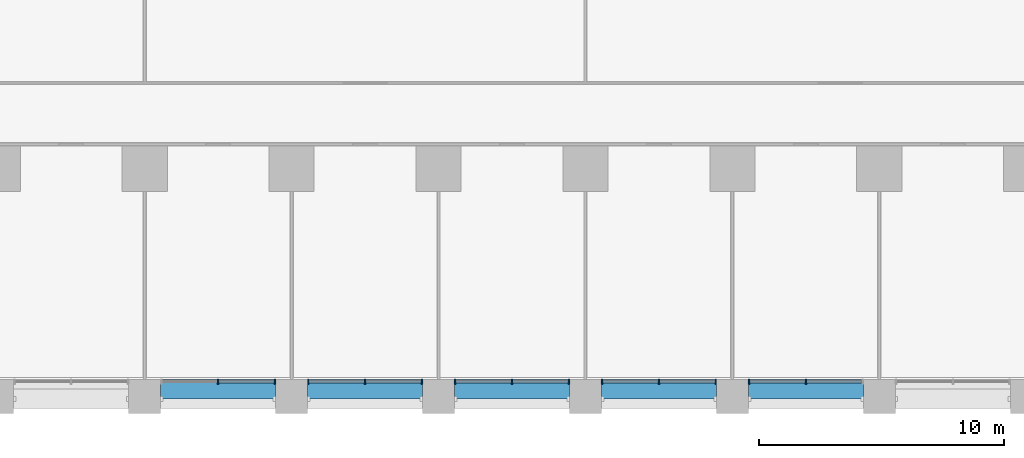
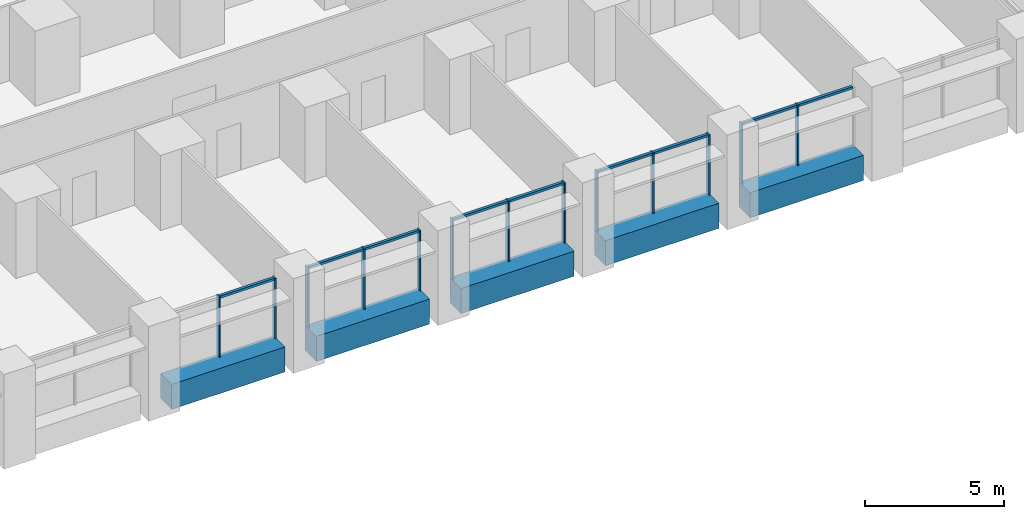
# One storey, part 3 of 18: 22 members, 5 beams, 5 elements without a shape of their own.
"""IFC4 building model written with IfcOpenShell, lengths in metres."""

from ifc_helpers import new_model, si_unit, direction, frame, origin, origin_2d, place, context, subcontext, project, spatial, rectangle, extrude, material, material_profile, profile_set, type_object, element, aggregate, save


model = new_model("IFC4")

# Units and contexts
model_context = context("Model", 3, precision=1e-05, world=origin(), true_north=direction((0.0, 1.0)))
body_context = subcontext(model_context, "Body", "Model", "MODEL_VIEW")
ifc_project = project(units=[si_unit("LENGTHUNIT", "METRE"), si_unit("AREAUNIT", "SQUARE_METRE"), si_unit("VOLUMEUNIT", "CUBIC_METRE"), si_unit("PLANEANGLEUNIT", "RADIAN"), si_unit("MASSUNIT", "GRAM", prefix="KILO")], contexts=[model_context])

# Site, building, storey
site_placement = place(None, origin())
site = spatial("IfcSite", under=ifc_project, at=site_placement, CompositionType="ELEMENT")
building_placement = place(site_placement, origin())
building = spatial("IfcBuilding", under=site, at=building_placement, Name="Calvaro Tower", CompositionType="ELEMENT")
storey_placement = place(building_placement, frame((0.0, 0.0, 22.5)))
storey = spatial("IfcBuildingStorey", under=building, at=storey_placement, Name="L04", CompositionType="ELEMENT", Elevation=22.5)

# Curtain wall, members
ifc_material_1 = material(Name="Anodised aluminium", Category="aluminium")
curtain_wall_type = type_object("IfcCurtainWallType", Name="Office curtain wall, lower zone", PredefinedType="NOTDEFINED", material=ifc_material_1)
curtain_wall_1_placement = place(storey_placement, origin())
curtain_wall_1 = element("IfcCurtainWall", 1, at=curtain_wall_1_placement, inside=storey, type_object=curtain_wall_type, Name="CW1 south curtain wall", PredefinedType="NOTDEFINED")
ifc_material_2 = material(Name="Anodised aluminium", Category="aluminium")
ifc_material_profile_1 = material_profile(ifc_material_2, rectangle(XDim=0.199951171875, YDim=0.06005859375, at=origin_2d()), Name="Mullion S1 60 x 200")
ifc_profile_set_1 = profile_set([ifc_material_profile_1], Name="Anodised aluminium")
member_type_1 = type_object("IfcMemberType", Name="Mullion S1 60 x 200", PredefinedType="MULLION", material=ifc_profile_set_1)
member_1_placement = place(storey_placement, frame((39.0, 1.300048828125, 0.0), z_axis=(0.0, 0.0, 1.0), x_axis=(0.0, 1.0, 0.0)))
member_1 = element("IfcMember", 2, at=member_1_placement, type_object=member_type_1, Name="CW1 mullion 2", PredefinedType="MULLION", context=body_context, shape_type="SweptSolid", body=[
    extrude(rectangle(XDim=0.199951171875, YDim=0.06005859375, at=origin_2d()), origin(), (0.0, 0.0, 1.0), 2.64990234375),
])
member_2_placement = place(storey_placement, frame((41.320068359375, 1.300048828125, 0.0), z_axis=(0.0, 0.0, 1.0), x_axis=(0.0, 1.0, 0.0)))
member_2 = element("IfcMember", 3, at=member_2_placement, type_object=member_type_1, Name="CW1 mullion 3", PredefinedType="MULLION", context=body_context, shape_type="SweptSolid", body=[
    extrude(rectangle(XDim=0.199951171875, YDim=0.06005859375, at=origin_2d()), origin(), (0.0, 0.0, 1.0), 2.64990234375),
])

curtain_wall_2_placement = place(storey_placement, origin())
curtain_wall_2 = element("IfcCurtainWall", 4, at=curtain_wall_2_placement, inside=storey, type_object=curtain_wall_type, Name="CW1 south curtain wall", PredefinedType="NOTDEFINED")
member_3_placement = place(storey_placement, frame((42.679931640625, 1.300048828125, 0.0), z_axis=(0.0, 0.0, 1.0), x_axis=(0.0, 1.0, 0.0)))
member_3 = element("IfcMember", 5, at=member_3_placement, type_object=member_type_1, Name="CW1 mullion 1", PredefinedType="MULLION", context=body_context, shape_type="SweptSolid", body=[
    extrude(rectangle(XDim=0.199951171875, YDim=0.06005859375, at=origin_2d()), origin(), (0.0, 0.0, 1.0), 2.64990234375),
])
member_4_placement = place(storey_placement, frame((45.0, 1.300048828125, 0.0), z_axis=(0.0, 0.0, 1.0), x_axis=(0.0, 1.0, 0.0)))
member_4 = element("IfcMember", 6, at=member_4_placement, type_object=member_type_1, Name="CW1 mullion 2", PredefinedType="MULLION", context=body_context, shape_type="SweptSolid", body=[
    extrude(rectangle(XDim=0.199951171875, YDim=0.06005859375, at=origin_2d()), origin(), (0.0, 0.0, 1.0), 2.64990234375),
])
member_5_placement = place(storey_placement, frame((47.320068359375, 1.300048828125, 0.0), z_axis=(0.0, 0.0, 1.0), x_axis=(0.0, 1.0, 0.0)))
member_5 = element("IfcMember", 7, at=member_5_placement, type_object=member_type_1, Name="CW1 mullion 3", PredefinedType="MULLION", context=body_context, shape_type="SweptSolid", body=[
    extrude(rectangle(XDim=0.199951171875, YDim=0.06005859375, at=origin_2d()), origin(), (0.0, 0.0, 1.0), 2.64990234375),
])

curtain_wall_3_placement = place(storey_placement, origin())
curtain_wall_3 = element("IfcCurtainWall", 8, at=curtain_wall_3_placement, inside=storey, type_object=curtain_wall_type, Name="CW1 south curtain wall", PredefinedType="NOTDEFINED")
member_6_placement = place(storey_placement, frame((48.679931640625, 1.300048828125, 0.0), z_axis=(0.0, 0.0, 1.0), x_axis=(0.0, 1.0, 0.0)))
member_6 = element("IfcMember", 9, at=member_6_placement, type_object=member_type_1, Name="CW1 mullion 1", PredefinedType="MULLION", context=body_context, shape_type="SweptSolid", body=[
    extrude(rectangle(XDim=0.199951171875, YDim=0.06005859375, at=origin_2d()), origin(), (0.0, 0.0, 1.0), 2.64990234375),
])
member_7_placement = place(storey_placement, frame((51.0, 1.300048828125, 0.0), z_axis=(0.0, 0.0, 1.0), x_axis=(0.0, 1.0, 0.0)))
member_7 = element("IfcMember", 10, at=member_7_placement, type_object=member_type_1, Name="CW1 mullion 2", PredefinedType="MULLION", context=body_context, shape_type="SweptSolid", body=[
    extrude(rectangle(XDim=0.199951171875, YDim=0.06005859375, at=origin_2d()), origin(), (0.0, 0.0, 1.0), 2.64990234375),
])
member_8_placement = place(storey_placement, frame((53.320068359375, 1.300048828125, 0.0), z_axis=(0.0, 0.0, 1.0), x_axis=(0.0, 1.0, 0.0)))
member_8 = element("IfcMember", 11, at=member_8_placement, type_object=member_type_1, Name="CW1 mullion 3", PredefinedType="MULLION", context=body_context, shape_type="SweptSolid", body=[
    extrude(rectangle(XDim=0.199951171875, YDim=0.06005859375, at=origin_2d()), origin(), (0.0, 0.0, 1.0), 2.64990234375),
])

curtain_wall_4_placement = place(storey_placement, origin())
curtain_wall_4 = element("IfcCurtainWall", 12, at=curtain_wall_4_placement, inside=storey, type_object=curtain_wall_type, Name="CW1 south curtain wall", PredefinedType="NOTDEFINED")
member_9_placement = place(storey_placement, frame((54.679931640625, 1.300048828125, 0.0), z_axis=(0.0, 0.0, 1.0), x_axis=(0.0, 1.0, 0.0)))
member_9 = element("IfcMember", 13, at=member_9_placement, type_object=member_type_1, Name="CW1 mullion 1", PredefinedType="MULLION", context=body_context, shape_type="SweptSolid", body=[
    extrude(rectangle(XDim=0.199951171875, YDim=0.06005859375, at=origin_2d()), origin(), (0.0, 0.0, 1.0), 2.64990234375),
])
member_10_placement = place(storey_placement, frame((57.0, 1.300048828125, 0.0), z_axis=(0.0, 0.0, 1.0), x_axis=(0.0, 1.0, 0.0)))
member_10 = element("IfcMember", 14, at=member_10_placement, type_object=member_type_1, Name="CW1 mullion 2", PredefinedType="MULLION", context=body_context, shape_type="SweptSolid", body=[
    extrude(rectangle(XDim=0.199951171875, YDim=0.06005859375, at=origin_2d()), origin(), (0.0, 0.0, 1.0), 2.64990234375),
])
member_11_placement = place(storey_placement, frame((59.320068359375, 1.300048828125, 0.0), z_axis=(0.0, 0.0, 1.0), x_axis=(0.0, 1.0, 0.0)))
member_11 = element("IfcMember", 15, at=member_11_placement, type_object=member_type_1, Name="CW1 mullion 3", PredefinedType="MULLION", context=body_context, shape_type="SweptSolid", body=[
    extrude(rectangle(XDim=0.199951171875, YDim=0.06005859375, at=origin_2d()), origin(), (0.0, 0.0, 1.0), 2.64990234375),
])

curtain_wall_5_placement = place(storey_placement, origin())
curtain_wall_5 = element("IfcCurtainWall", 16, at=curtain_wall_5_placement, inside=storey, type_object=curtain_wall_type, Name="CW1 south curtain wall", PredefinedType="NOTDEFINED")
member_12_placement = place(storey_placement, frame((60.679931640625, 1.300048828125, 0.0), z_axis=(0.0, 0.0, 1.0), x_axis=(0.0, 1.0, 0.0)))
member_12 = element("IfcMember", 17, at=member_12_placement, type_object=member_type_1, Name="CW1 mullion 1", PredefinedType="MULLION", context=body_context, shape_type="SweptSolid", body=[
    extrude(rectangle(XDim=0.199951171875, YDim=0.06005859375, at=origin_2d()), origin(), (0.0, 0.0, 1.0), 2.64990234375),
])
member_13_placement = place(storey_placement, frame((63.0, 1.300048828125, 0.0), z_axis=(0.0, 0.0, 1.0), x_axis=(0.0, 1.0, 0.0)))
member_13 = element("IfcMember", 18, at=member_13_placement, type_object=member_type_1, Name="CW1 mullion 2", PredefinedType="MULLION", context=body_context, shape_type="SweptSolid", body=[
    extrude(rectangle(XDim=0.199951171875, YDim=0.06005859375, at=origin_2d()), origin(), (0.0, 0.0, 1.0), 2.64990234375),
])

# Beams
ifc_material_3 = material(Name="Concrete C50/60 precast", Category="concrete")
ifc_material_profile_2 = material_profile(ifc_material_3, rectangle(XDim=0.800048828125, YDim=1.10009765625, at=origin_2d()), Name="RC 800x1100")
ifc_profile_set_2 = profile_set([ifc_material_profile_2], Name="Concrete C50/60 precast")
beam_type = type_object("IfcBeamType", Name="Spandrel beam 800x1100 C50/60", PredefinedType="SPANDREL", material=ifc_profile_set_2)
for number, where, z_axis, x_axis, name in (
    (19, (36.64990234375, 1.0, -0.550048828125), (1.0, 0.0, 0.0), (0.0, 1.0, 0.0), "Spandrel beam"),
    (20, (42.64990234375, 1.0, -0.550048828125), (1.0, 0.0, 0.0), (0.0, 1.0, 0.0), "Spandrel beam"),
    (21, (48.64990234375, 1.0, -0.550048828125), (1.0, 0.0, 0.0), (0.0, 1.0, 0.0), "Spandrel beam"),
    (22, (54.64990234375, 1.0, -0.550048828125), (1.0, 0.0, 0.0), (0.0, 1.0, 0.0), "Spandrel beam"),
    (23, (60.64990234375, 1.0, -0.550048828125), (1.0, 0.0, 0.0), (0.0, 1.0, 0.0), "Spandrel beam"),
):
    element("IfcBeam", number, at=place(storey_placement, frame(where, z_axis=z_axis, x_axis=x_axis)), inside=storey, type_object=beam_type, Name=name, PredefinedType="SPANDREL", context=body_context, shape_type="SweptSolid", body=[
        extrude(rectangle(XDim=0.800048828125, YDim=1.10009765625, at=origin_2d()), origin(), (0.0, 0.0, 1.0), 4.7001953125),
    ])

# Member
ifc_material_4 = material(Name="Anodised aluminium", Category="aluminium")
ifc_material_profile_3 = material_profile(ifc_material_4, rectangle(XDim=0.1201171875, YDim=0.10009765625, at=origin_2d()), Name="Transom S1 100 x 120")
ifc_profile_set_3 = profile_set([ifc_material_profile_3], Name="Anodised aluminium")
member_type_2 = type_object("IfcMemberType", Name="Transom S1 100 x 120", PredefinedType="USERDEFINED", material=ifc_profile_set_3)
member_14_placement = place(storey_placement, frame((39.030029296875, 1.300048828125, 2.60009765625), z_axis=(1.0, 0.0, 0.0), x_axis=(0.0, 1.0, 0.0)))
member_14 = element("IfcMember", 24, at=member_14_placement, type_object=member_type_2, Name="CW1 transom 2.1", ObjectType="TRANSOM", PredefinedType="USERDEFINED", context=body_context, shape_type="SweptSolid", body=[
    extrude(rectangle(XDim=0.1201171875, YDim=0.10009765625, at=origin_2d()), origin(), (0.0, 0.0, 1.0), 2.260009765625),
])

aggregate(curtain_wall_1, [member_1, member_2, member_14])

member_15_placement = place(storey_placement, frame((42.7099609375, 1.300048828125, 2.60009765625), z_axis=(1.0, 0.0, 0.0), x_axis=(0.0, 1.0, 0.0)))
member_15 = element("IfcMember", 25, at=member_15_placement, type_object=member_type_2, Name="CW1 transom 1.1", ObjectType="TRANSOM", PredefinedType="USERDEFINED", context=body_context, shape_type="SweptSolid", body=[
    extrude(rectangle(XDim=0.1201171875, YDim=0.10009765625, at=origin_2d()), origin(), (0.0, 0.0, 1.0), 2.260009765625),
])

member_16_placement = place(storey_placement, frame((45.030029296875, 1.300048828125, 2.60009765625), z_axis=(1.0, 0.0, 0.0), x_axis=(0.0, 1.0, 0.0)))
member_16 = element("IfcMember", 26, at=member_16_placement, type_object=member_type_2, Name="CW1 transom 2.1", ObjectType="TRANSOM", PredefinedType="USERDEFINED", context=body_context, shape_type="SweptSolid", body=[
    extrude(rectangle(XDim=0.1201171875, YDim=0.10009765625, at=origin_2d()), origin(), (0.0, 0.0, 1.0), 2.260009765625),
])

aggregate(curtain_wall_2, [member_3, member_4, member_5, member_15, member_16])

member_17_placement = place(storey_placement, frame((48.7099609375, 1.300048828125, 2.60009765625), z_axis=(1.0, 0.0, 0.0), x_axis=(0.0, 1.0, 0.0)))
member_17 = element("IfcMember", 27, at=member_17_placement, type_object=member_type_2, Name="CW1 transom 1.1", ObjectType="TRANSOM", PredefinedType="USERDEFINED", context=body_context, shape_type="SweptSolid", body=[
    extrude(rectangle(XDim=0.1201171875, YDim=0.10009765625, at=origin_2d()), origin(), (0.0, 0.0, 1.0), 2.260009765625),
])

member_18_placement = place(storey_placement, frame((51.030029296875, 1.300048828125, 2.60009765625), z_axis=(1.0, 0.0, 0.0), x_axis=(0.0, 1.0, 0.0)))
member_18 = element("IfcMember", 28, at=member_18_placement, type_object=member_type_2, Name="CW1 transom 2.1", ObjectType="TRANSOM", PredefinedType="USERDEFINED", context=body_context, shape_type="SweptSolid", body=[
    extrude(rectangle(XDim=0.1201171875, YDim=0.10009765625, at=origin_2d()), origin(), (0.0, 0.0, 1.0), 2.260009765625),
])

aggregate(curtain_wall_3, [member_6, member_7, member_8, member_17, member_18])

member_19_placement = place(storey_placement, frame((54.7099609375, 1.300048828125, 2.60009765625), z_axis=(1.0, 0.0, 0.0), x_axis=(0.0, 1.0, 0.0)))
member_19 = element("IfcMember", 29, at=member_19_placement, type_object=member_type_2, Name="CW1 transom 1.1", ObjectType="TRANSOM", PredefinedType="USERDEFINED", context=body_context, shape_type="SweptSolid", body=[
    extrude(rectangle(XDim=0.1201171875, YDim=0.10009765625, at=origin_2d()), origin(), (0.0, 0.0, 1.0), 2.260009765625),
])

member_20_placement = place(storey_placement, frame((57.030029296875, 1.300048828125, 2.60009765625), z_axis=(1.0, 0.0, 0.0), x_axis=(0.0, 1.0, 0.0)))
member_20 = element("IfcMember", 30, at=member_20_placement, type_object=member_type_2, Name="CW1 transom 2.1", ObjectType="TRANSOM", PredefinedType="USERDEFINED", context=body_context, shape_type="SweptSolid", body=[
    extrude(rectangle(XDim=0.1201171875, YDim=0.10009765625, at=origin_2d()), origin(), (0.0, 0.0, 1.0), 2.260009765625),
])

aggregate(curtain_wall_4, [member_9, member_10, member_11, member_19, member_20])

member_21_placement = place(storey_placement, frame((60.7099609375, 1.300048828125, 2.60009765625), z_axis=(1.0, 0.0, 0.0), x_axis=(0.0, 1.0, 0.0)))
member_21 = element("IfcMember", 31, at=member_21_placement, type_object=member_type_2, Name="CW1 transom 1.1", ObjectType="TRANSOM", PredefinedType="USERDEFINED", context=body_context, shape_type="SweptSolid", body=[
    extrude(rectangle(XDim=0.1201171875, YDim=0.10009765625, at=origin_2d()), origin(), (0.0, 0.0, 1.0), 2.260009765625),
])

member_22_placement = place(storey_placement, frame((63.030029296875, 1.300048828125, 2.60009765625), z_axis=(1.0, 0.0, 0.0), x_axis=(0.0, 1.0, 0.0)))
member_22 = element("IfcMember", 32, at=member_22_placement, type_object=member_type_2, Name="CW1 transom 2.1", ObjectType="TRANSOM", PredefinedType="USERDEFINED", context=body_context, shape_type="SweptSolid", body=[
    extrude(rectangle(XDim=0.1201171875, YDim=0.10009765625, at=origin_2d()), origin(), (0.0, 0.0, 1.0), 2.260009765625),
])

aggregate(curtain_wall_5, [member_12, member_13, member_21, member_22])

save(model, "model.ifc")
